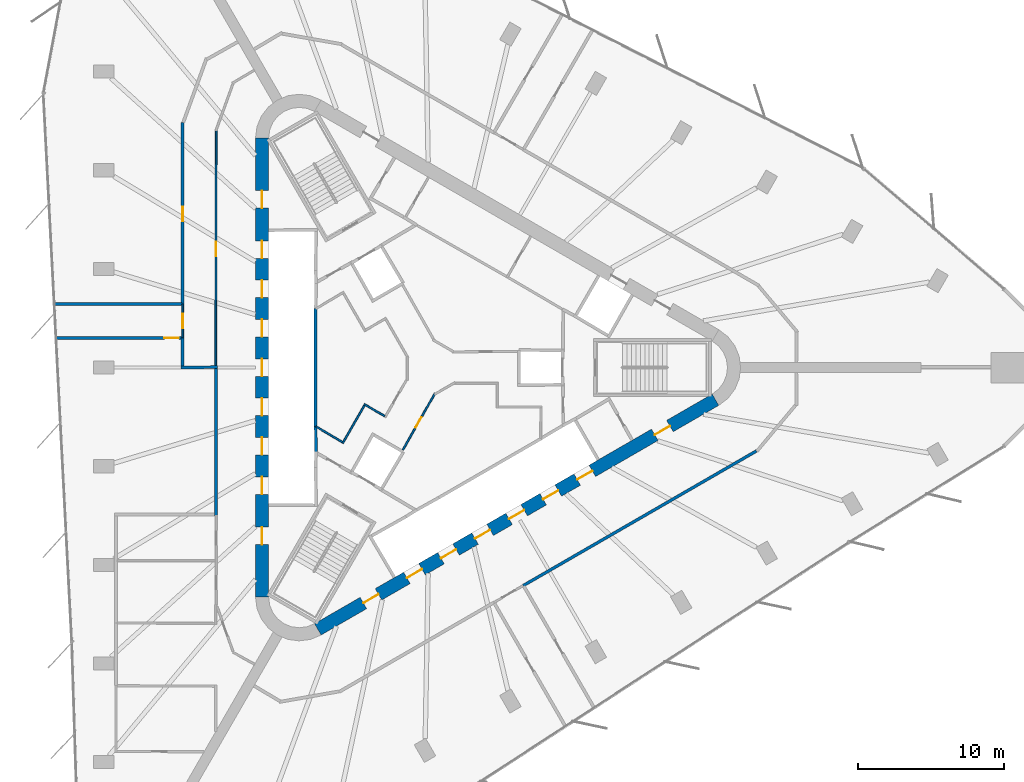
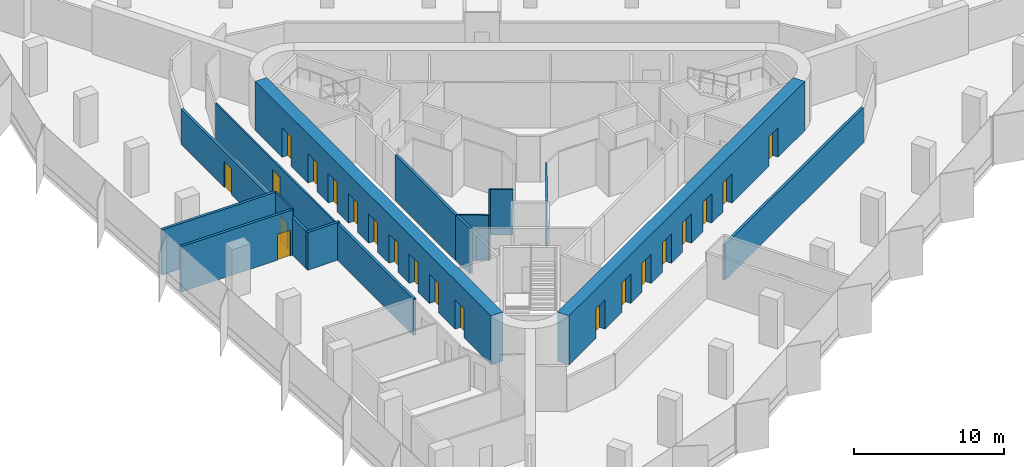
# One storey, part 9 of 13: 22 doors, 17 walls, 22 openings.
"""IFC4 building model written with IfcOpenShell, lengths in metres."""

from ifc_helpers import new_model, si_unit, direction, frame, frame_2d, origin, place, context, subcontext, project, spatial, rectangle, extrude, material, layer, layer_set, type_object, element, fill, save


model = new_model("IFC4")

# Units and contexts
model_context = context("Model", 3, precision=1e-05, world=origin(), true_north=direction((0.0, 1.0)))
body_context = subcontext(model_context, "Body", "Model", "MODEL_VIEW")
ifc_project = project(units=[si_unit("LENGTHUNIT", "METRE"), si_unit("AREAUNIT", "SQUARE_METRE"), si_unit("VOLUMEUNIT", "CUBIC_METRE"), si_unit("PLANEANGLEUNIT", "RADIAN"), si_unit("MASSUNIT", "GRAM", prefix="KILO")], contexts=[model_context])

# Site, building, storey
site_placement = place(None, origin())
site = spatial("IfcSite", under=ifc_project, at=site_placement, CompositionType="ELEMENT")
building_placement = place(site_placement, origin())
building = spatial("IfcBuilding", under=site, at=building_placement, Name="Tanit Gate Tower", CompositionType="ELEMENT")
storey_placement = place(building_placement, frame((0.0, 0.0, 173.199951171875)))
storey = spatial("IfcBuildingStorey", under=building, at=storey_placement, Name="L37", CompositionType="ELEMENT", Elevation=173.199951171875)

# Wall, openings, doors
ifc_material_1 = material(Name="Concrete C50/60", Category="concrete")
ifc_layer_1 = layer(ifc_material_1, 0.89990234375)
ifc_layer_set_1 = layer_set([ifc_layer_1], Name="CORE WALL 900 C50/60")
wall_type_1 = type_object("IfcWallType", Name="CORE WALL 900 C50/60", PredefinedType="SHEAR", material=ifc_layer_set_1)
wall_1_placement = place(storey_placement, frame((-11.64990234375, 15.76171875, 0.0), z_axis=(0.0, 0.0, 1.0), x_axis=(0.0, -1.0, 0.0)))
wall_1 = element("IfcWall", 1, at=wall_1_placement, inside=storey, type_object=wall_type_1, Name="CORE WALL", PredefinedType="SHEAR", context=body_context, shape_type="SweptSolid", body=[
    extrude(rectangle(XDim=31.5234375, YDim=0.89990234375, at=frame_2d((15.76171875, 0.0))), origin(), (0.0, 0.0, 1.0), 4.0),
])
opening_1_placement = place(wall_1_placement, frame((7.061767578125, 0.0, 0.0)))
opening_1 = element("IfcOpeningElement", 2, at=opening_1_placement, cuts=wall_1, Name="Opening LDML1-S09", PredefinedType="OPENING", context=body_context, shape_type="SweptSolid", body=[
    extrude(rectangle(XDim=1.199951171875, YDim=2.39990234375, at=frame_2d((0.60009765625, 1.199951171875))), frame((0.0, 0.4599609375, 0.0), z_axis=(0.0, -1.0, 0.0), x_axis=(1.0, 0.0, 0.0)), (0.0, 0.0, 1.0), 0.919921875),
])
opening_2_placement = place(wall_1_placement, frame((9.76171875, 0.0, 0.0)))
opening_2 = element("IfcOpeningElement", 3, at=opening_2_placement, cuts=wall_1, Name="Opening LDML2-S09", PredefinedType="OPENING", context=body_context, shape_type="SweptSolid", body=[
    extrude(rectangle(XDim=1.199951171875, YDim=2.39990234375, at=frame_2d((0.60009765625, 1.199951171875))), frame((0.0, 0.4599609375, 0.0), z_axis=(0.0, -1.0, 0.0), x_axis=(1.0, 0.0, 0.0)), (0.0, 0.0, 1.0), 0.919921875),
])
opening_3_placement = place(wall_1_placement, frame((12.461669921875, 0.0, 0.0)))
opening_3 = element("IfcOpeningElement", 4, at=opening_3_placement, cuts=wall_1, Name="Opening LDML3-S09", PredefinedType="OPENING", context=body_context, shape_type="SweptSolid", body=[
    extrude(rectangle(XDim=1.199951171875, YDim=2.39990234375, at=frame_2d((0.60009765625, 1.199951171875))), frame((0.0, 0.4599609375, 0.0), z_axis=(0.0, -1.0, 0.0), x_axis=(1.0, 0.0, 0.0)), (0.0, 0.0, 1.0), 0.919921875),
])
opening_4_placement = place(wall_1_placement, frame((15.16162109375, 0.0, 0.0)))
opening_4 = element("IfcOpeningElement", 5, at=opening_4_placement, cuts=wall_1, Name="Opening LDML4-S09", PredefinedType="OPENING", context=body_context, shape_type="SweptSolid", body=[
    extrude(rectangle(XDim=1.199951171875, YDim=2.39990234375, at=frame_2d((0.60009765625, 1.199951171875))), frame((0.0, 0.4599609375, 0.0), z_axis=(0.0, -1.0, 0.0), x_axis=(1.0, 0.0, 0.0)), (0.0, 0.0, 1.0), 0.919921875),
])
opening_5_placement = place(wall_1_placement, frame((17.86181640625, 0.0, 0.0)))
opening_5 = element("IfcOpeningElement", 6, at=opening_5_placement, cuts=wall_1, Name="Opening LDML5-S09", PredefinedType="OPENING", context=body_context, shape_type="SweptSolid", body=[
    extrude(rectangle(XDim=1.199951171875, YDim=2.39990234375, at=frame_2d((0.60009765625, 1.199951171875))), frame((0.0, 0.4599609375, 0.0), z_axis=(0.0, -1.0, 0.0), x_axis=(1.0, 0.0, 0.0)), (0.0, 0.0, 1.0), 0.919921875),
])
opening_6_placement = place(wall_1_placement, frame((20.561767578125, 0.0, 0.0)))
opening_6 = element("IfcOpeningElement", 7, at=opening_6_placement, cuts=wall_1, Name="Opening LDML6-S09", PredefinedType="OPENING", context=body_context, shape_type="SweptSolid", body=[
    extrude(rectangle(XDim=1.199951171875, YDim=2.39990234375, at=frame_2d((0.60009765625, 1.199951171875))), frame((0.0, 0.4599609375, 0.0), z_axis=(0.0, -1.0, 0.0), x_axis=(1.0, 0.0, 0.0)), (0.0, 0.0, 1.0), 0.919921875),
])
opening_7_placement = place(wall_1_placement, frame((23.26171875, 0.0, 0.0)))
opening_7 = element("IfcOpeningElement", 8, at=opening_7_placement, cuts=wall_1, Name="Opening LDML7-S09", PredefinedType="OPENING", context=body_context, shape_type="SweptSolid", body=[
    extrude(rectangle(XDim=1.199951171875, YDim=2.39990234375, at=frame_2d((0.60009765625, 1.199951171875))), frame((0.0, 0.4599609375, 0.0), z_axis=(0.0, -1.0, 0.0), x_axis=(1.0, 0.0, 0.0)), (0.0, 0.0, 1.0), 0.919921875),
])
opening_8_placement = place(wall_1_placement, frame((3.61181640625, 0.0, 0.0)))
opening_8 = element("IfcOpeningElement", 9, at=opening_8_placement, cuts=wall_1, Name="Opening F12-S09-FL2", PredefinedType="OPENING", context=body_context, shape_type="SweptSolid", body=[
    extrude(rectangle(XDim=1.199951171875, YDim=2.39990234375, at=frame_2d((0.60009765625, 1.199951171875))), frame((0.0, 0.4599609375, 0.0), z_axis=(0.0, -1.0, 0.0), x_axis=(1.0, 0.0, 0.0)), (0.0, 0.0, 1.0), 0.919921875),
])
opening_9_placement = place(wall_1_placement, frame((26.711669921875, 0.0, 0.0)))
opening_9 = element("IfcOpeningElement", 10, at=opening_9_placement, cuts=wall_1, Name="Opening F12-S09-S3", PredefinedType="OPENING", context=body_context, shape_type="SweptSolid", body=[
    extrude(rectangle(XDim=1.199951171875, YDim=2.39990234375, at=frame_2d((0.60009765625, 1.199951171875))), frame((0.0, 0.4599609375, 0.0), z_axis=(0.0, -1.0, 0.0), x_axis=(1.0, 0.0, 0.0)), (0.0, 0.0, 1.0), 0.919921875),
])
ifc_material_2 = material(Name="Fire-rated steel door leaf", Category="steel")
door_type_1 = type_object("IfcDoorType", Name="INT-DOOR-FIRE-LOBBY-1200", OperationType="NOTDEFINED", PredefinedType="USERDEFINED", material=ifc_material_2)
door_1_placement = place(opening_8_placement, origin())
door_1 = element("IfcDoor", 11, at=door_1_placement, inside=storey, type_object=door_type_1, Name="Door F12-S09-FL2", ObjectType="FIRE DOOR", OperationType="SINGLE_SWING_RIGHT", OverallHeight=2.39990234375, OverallWidth=1.199951171875, PredefinedType="USERDEFINED", context=body_context, shape_type="SweptSolid", body=[
    extrude(rectangle(XDim=1.199951171875, YDim=2.39990234375, at=frame_2d((0.60009765625, 1.199951171875))), frame((0.0, 0.02490234375, 0.0), z_axis=(0.0, -1.0, 0.0), x_axis=(1.0, 0.0, 0.0)), (0.0, 0.0, 1.0), 0.050048828125),
])
fill(opening_8, door_1)
door_2_placement = place(opening_9_placement, origin())
door_2 = element("IfcDoor", 12, at=door_2_placement, inside=storey, type_object=door_type_1, Name="Door F12-S09-S3", ObjectType="FIRE DOOR", OperationType="SINGLE_SWING_RIGHT", OverallHeight=2.39990234375, OverallWidth=1.199951171875, PredefinedType="USERDEFINED", context=body_context, shape_type="SweptSolid", body=[
    extrude(rectangle(XDim=1.199951171875, YDim=2.39990234375, at=frame_2d((0.60009765625, 1.199951171875))), frame((0.0, 0.02490234375, 0.0), z_axis=(0.0, -1.0, 0.0), x_axis=(1.0, 0.0, 0.0)), (0.0, 0.0, 1.0), 0.050048828125),
])
fill(opening_9, door_2)
ifc_material_3 = material(Name="Stainless steel sliding door leaf", Category="steel")
door_type_2 = type_object("IfcDoorType", Name="INT-DOOR-LANDING-1200", OperationType="NOTDEFINED", PredefinedType="USERDEFINED", material=ifc_material_3)
door_3_placement = place(opening_1_placement, origin())
door_3 = element("IfcDoor", 13, at=door_3_placement, inside=storey, type_object=door_type_2, Name="Door LDML1-S09", ObjectType="LANDING DOOR", OperationType="SLIDING_TO_LEFT", OverallHeight=2.39990234375, OverallWidth=1.199951171875, PredefinedType="USERDEFINED", context=body_context, shape_type="SweptSolid", body=[
    extrude(rectangle(XDim=1.199951171875, YDim=2.39990234375, at=frame_2d((0.60009765625, 1.199951171875))), frame((0.0, 0.02490234375, 0.0), z_axis=(0.0, -1.0, 0.0), x_axis=(1.0, 0.0, 0.0)), (0.0, 0.0, 1.0), 0.050048828125),
])
fill(opening_1, door_3)
door_4_placement = place(opening_2_placement, origin())
door_4 = element("IfcDoor", 14, at=door_4_placement, inside=storey, type_object=door_type_2, Name="Door LDML2-S09", ObjectType="LANDING DOOR", OperationType="SLIDING_TO_LEFT", OverallHeight=2.39990234375, OverallWidth=1.199951171875, PredefinedType="USERDEFINED", context=body_context, shape_type="SweptSolid", body=[
    extrude(rectangle(XDim=1.199951171875, YDim=2.39990234375, at=frame_2d((0.60009765625, 1.199951171875))), frame((0.0, 0.02490234375, 0.0), z_axis=(0.0, -1.0, 0.0), x_axis=(1.0, 0.0, 0.0)), (0.0, 0.0, 1.0), 0.050048828125),
])
fill(opening_2, door_4)
door_5_placement = place(opening_3_placement, origin())
door_5 = element("IfcDoor", 15, at=door_5_placement, inside=storey, type_object=door_type_2, Name="Door LDML3-S09", ObjectType="LANDING DOOR", OperationType="SLIDING_TO_LEFT", OverallHeight=2.39990234375, OverallWidth=1.199951171875, PredefinedType="USERDEFINED", context=body_context, shape_type="SweptSolid", body=[
    extrude(rectangle(XDim=1.199951171875, YDim=2.39990234375, at=frame_2d((0.60009765625, 1.199951171875))), frame((0.0, 0.02490234375, 0.0), z_axis=(0.0, -1.0, 0.0), x_axis=(1.0, 0.0, 0.0)), (0.0, 0.0, 1.0), 0.050048828125),
])
fill(opening_3, door_5)
door_6_placement = place(opening_4_placement, origin())
door_6 = element("IfcDoor", 16, at=door_6_placement, inside=storey, type_object=door_type_2, Name="Door LDML4-S09", ObjectType="LANDING DOOR", OperationType="SLIDING_TO_LEFT", OverallHeight=2.39990234375, OverallWidth=1.199951171875, PredefinedType="USERDEFINED", context=body_context, shape_type="SweptSolid", body=[
    extrude(rectangle(XDim=1.199951171875, YDim=2.39990234375, at=frame_2d((0.60009765625, 1.199951171875))), frame((0.0, 0.02490234375, 0.0), z_axis=(0.0, -1.0, 0.0), x_axis=(1.0, 0.0, 0.0)), (0.0, 0.0, 1.0), 0.050048828125),
])
fill(opening_4, door_6)
door_7_placement = place(opening_5_placement, origin())
door_7 = element("IfcDoor", 17, at=door_7_placement, inside=storey, type_object=door_type_2, Name="Door LDML5-S09", ObjectType="LANDING DOOR", OperationType="SLIDING_TO_LEFT", OverallHeight=2.39990234375, OverallWidth=1.199951171875, PredefinedType="USERDEFINED", context=body_context, shape_type="SweptSolid", body=[
    extrude(rectangle(XDim=1.199951171875, YDim=2.39990234375, at=frame_2d((0.60009765625, 1.199951171875))), frame((0.0, 0.02490234375, 0.0), z_axis=(0.0, -1.0, 0.0), x_axis=(1.0, 0.0, 0.0)), (0.0, 0.0, 1.0), 0.050048828125),
])
fill(opening_5, door_7)
door_8_placement = place(opening_6_placement, origin())
door_8 = element("IfcDoor", 18, at=door_8_placement, inside=storey, type_object=door_type_2, Name="Door LDML6-S09", ObjectType="LANDING DOOR", OperationType="SLIDING_TO_LEFT", OverallHeight=2.39990234375, OverallWidth=1.199951171875, PredefinedType="USERDEFINED", context=body_context, shape_type="SweptSolid", body=[
    extrude(rectangle(XDim=1.199951171875, YDim=2.39990234375, at=frame_2d((0.60009765625, 1.199951171875))), frame((0.0, 0.02490234375, 0.0), z_axis=(0.0, -1.0, 0.0), x_axis=(1.0, 0.0, 0.0)), (0.0, 0.0, 1.0), 0.050048828125),
])
fill(opening_6, door_8)
door_9_placement = place(opening_7_placement, origin())
door_9 = element("IfcDoor", 19, at=door_9_placement, inside=storey, type_object=door_type_2, Name="Door LDML7-S09", ObjectType="LANDING DOOR", OperationType="SLIDING_TO_LEFT", OverallHeight=2.39990234375, OverallWidth=1.199951171875, PredefinedType="USERDEFINED", context=body_context, shape_type="SweptSolid", body=[
    extrude(rectangle(XDim=1.199951171875, YDim=2.39990234375, at=frame_2d((0.60009765625, 1.199951171875))), frame((0.0, 0.02490234375, 0.0), z_axis=(0.0, -1.0, 0.0), x_axis=(1.0, 0.0, 0.0)), (0.0, 0.0, 1.0), 0.050048828125),
])
fill(opening_7, door_9)

wall_2_placement = place(storey_placement, frame((-7.824951171875, -17.969970703125, 0.0), z_axis=(0.0, 0.0, 1.0), x_axis=(0.866028369851, 0.499994862586, 0.0)))
wall_2 = element("IfcWall", 20, at=wall_2_placement, inside=storey, type_object=wall_type_1, Name="CORE WALL", PredefinedType="SHEAR", context=body_context, shape_type="SweptSolid", body=[
    extrude(rectangle(XDim=31.523193359375, YDim=0.89990234375, at=frame_2d((15.76171875, 0.0))), origin(), (0.0, 0.0, 1.0), 4.0),
])
opening_10_placement = place(wall_2_placement, frame((7.061767578125, 0.0, 0.0)))
opening_10 = element("IfcOpeningElement", 21, at=opening_10_placement, cuts=wall_2, Name="Opening LDSX1-S09", PredefinedType="OPENING", context=body_context, shape_type="SweptSolid", body=[
    extrude(rectangle(XDim=1.199951171875, YDim=2.39990234375, at=frame_2d((0.60009765625, 1.199951171875))), frame((0.0, 0.4599609375, 0.0), z_axis=(0.0, -1.0, 0.0), x_axis=(1.0, 0.0, 0.0)), (0.0, 0.0, 1.0), 0.919921875),
])
opening_11_placement = place(wall_2_placement, frame((9.76171875, 0.0, 0.0)))
opening_11 = element("IfcOpeningElement", 22, at=opening_11_placement, cuts=wall_2, Name="Opening LDSX2-S09", PredefinedType="OPENING", context=body_context, shape_type="SweptSolid", body=[
    extrude(rectangle(XDim=1.199951171875, YDim=2.39990234375, at=frame_2d((0.60009765625, 1.199951171875))), frame((0.0, 0.4599609375, 0.0), z_axis=(0.0, -1.0, 0.0), x_axis=(1.0, 0.0, 0.0)), (0.0, 0.0, 1.0), 0.919921875),
])
opening_12_placement = place(wall_2_placement, frame((12.461669921875, 0.0, 0.0)))
opening_12 = element("IfcOpeningElement", 23, at=opening_12_placement, cuts=wall_2, Name="Opening LDSX3-S09", PredefinedType="OPENING", context=body_context, shape_type="SweptSolid", body=[
    extrude(rectangle(XDim=1.199951171875, YDim=2.39990234375, at=frame_2d((0.60009765625, 1.199951171875))), frame((0.0, 0.4599609375, 0.0), z_axis=(0.0, -1.0, 0.0), x_axis=(1.0, 0.0, 0.0)), (0.0, 0.0, 1.0), 0.919921875),
])
opening_13_placement = place(wall_2_placement, frame((15.16162109375, 0.0, 0.0)))
opening_13 = element("IfcOpeningElement", 24, at=opening_13_placement, cuts=wall_2, Name="Opening LDSX4-S09", PredefinedType="OPENING", context=body_context, shape_type="SweptSolid", body=[
    extrude(rectangle(XDim=1.199951171875, YDim=2.39990234375, at=frame_2d((0.60009765625, 1.199951171875))), frame((0.0, 0.4599609375, 0.0), z_axis=(0.0, -1.0, 0.0), x_axis=(1.0, 0.0, 0.0)), (0.0, 0.0, 1.0), 0.919921875),
])
opening_14_placement = place(wall_2_placement, frame((17.861572265625, 0.0, 0.0)))
opening_14 = element("IfcOpeningElement", 25, at=opening_14_placement, cuts=wall_2, Name="Opening LDSV1-S09", PredefinedType="OPENING", context=body_context, shape_type="SweptSolid", body=[
    extrude(rectangle(XDim=1.199951171875, YDim=2.39990234375, at=frame_2d((0.60009765625, 1.199951171875))), frame((0.0, 0.4599609375, 0.0), z_axis=(0.0, -1.0, 0.0), x_axis=(1.0, 0.0, 0.0)), (0.0, 0.0, 1.0), 0.919921875),
])
opening_15_placement = place(wall_2_placement, frame((20.561767578125, 0.0, 0.0)))
opening_15 = element("IfcOpeningElement", 26, at=opening_15_placement, cuts=wall_2, Name="Opening LDSV2-S09", PredefinedType="OPENING", context=body_context, shape_type="SweptSolid", body=[
    extrude(rectangle(XDim=1.199951171875, YDim=2.39990234375, at=frame_2d((0.60009765625, 1.199951171875))), frame((0.0, 0.4599609375, 0.0), z_axis=(0.0, -1.0, 0.0), x_axis=(1.0, 0.0, 0.0)), (0.0, 0.0, 1.0), 0.919921875),
])
opening_16_placement = place(wall_2_placement, frame((26.711669921875, 0.0, 0.0)))
opening_16 = element("IfcOpeningElement", 27, at=opening_16_placement, cuts=wall_2, Name="Opening F12-S09-S1", PredefinedType="OPENING", context=body_context, shape_type="SweptSolid", body=[
    extrude(rectangle(XDim=1.199951171875, YDim=2.39990234375, at=frame_2d((0.60009765625, 1.199951171875))), frame((0.0, 0.4599609375, 0.0), z_axis=(0.0, -1.0, 0.0), x_axis=(1.0, 0.0, 0.0)), (0.0, 0.0, 1.0), 0.919921875),
])
opening_17_placement = place(wall_2_placement, frame((3.611572265625, 0.0, 0.0)))
opening_17 = element("IfcOpeningElement", 28, at=opening_17_placement, cuts=wall_2, Name="Opening F12-S09-FL3", PredefinedType="OPENING", context=body_context, shape_type="SweptSolid", body=[
    extrude(rectangle(XDim=1.199951171875, YDim=2.39990234375, at=frame_2d((0.60009765625, 1.199951171875))), frame((0.0, 0.4599609375, 0.0), z_axis=(0.0, -1.0, 0.0), x_axis=(1.0, 0.0, 0.0)), (0.0, 0.0, 1.0), 0.919921875),
])
door_10_placement = place(opening_16_placement, origin())
door_10 = element("IfcDoor", 29, at=door_10_placement, inside=storey, type_object=door_type_1, Name="Door F12-S09-S1", ObjectType="FIRE DOOR", OperationType="SINGLE_SWING_RIGHT", OverallHeight=2.39990234375, OverallWidth=1.199951171875, PredefinedType="USERDEFINED", context=body_context, shape_type="SweptSolid", body=[
    extrude(rectangle(XDim=1.199951171875, YDim=2.39990234375, at=frame_2d((0.60009765625, 1.199951171875))), frame((0.0, 0.02490234375, 0.0), z_axis=(0.0, -1.0, 0.0), x_axis=(1.0, 0.0, 0.0)), (0.0, 0.0, 1.0), 0.050048828125),
])
fill(opening_16, door_10)
door_11_placement = place(opening_17_placement, origin())
door_11 = element("IfcDoor", 30, at=door_11_placement, inside=storey, type_object=door_type_1, Name="Door F12-S09-FL3", ObjectType="FIRE DOOR", OperationType="SINGLE_SWING_LEFT", OverallHeight=2.39990234375, OverallWidth=1.199951171875, PredefinedType="USERDEFINED", context=body_context, shape_type="SweptSolid", body=[
    extrude(rectangle(XDim=1.199951171875, YDim=2.39990234375, at=frame_2d((0.60009765625, 1.199951171875))), frame((0.0, 0.02490234375, 0.0), z_axis=(0.0, -1.0, 0.0), x_axis=(1.0, 0.0, 0.0)), (0.0, 0.0, 1.0), 0.050048828125),
])
fill(opening_17, door_11)
door_12_placement = place(opening_10_placement, origin())
door_12 = element("IfcDoor", 31, at=door_12_placement, inside=storey, type_object=door_type_2, Name="Door LDSX1-S09", ObjectType="LANDING DOOR", OperationType="SLIDING_TO_LEFT", OverallHeight=2.39990234375, OverallWidth=1.199951171875, PredefinedType="USERDEFINED", context=body_context, shape_type="SweptSolid", body=[
    extrude(rectangle(XDim=1.199951171875, YDim=2.39990234375, at=frame_2d((0.60009765625, 1.199951171875))), frame((0.0, 0.02490234375, 0.0), z_axis=(0.0, -1.0, 0.0), x_axis=(1.0, 0.0, 0.0)), (0.0, 0.0, 1.0), 0.050048828125),
])
fill(opening_10, door_12)
door_13_placement = place(opening_11_placement, origin())
door_13 = element("IfcDoor", 32, at=door_13_placement, inside=storey, type_object=door_type_2, Name="Door LDSX2-S09", ObjectType="LANDING DOOR", OperationType="SLIDING_TO_LEFT", OverallHeight=2.39990234375, OverallWidth=1.199951171875, PredefinedType="USERDEFINED", context=body_context, shape_type="SweptSolid", body=[
    extrude(rectangle(XDim=1.199951171875, YDim=2.39990234375, at=frame_2d((0.60009765625, 1.199951171875))), frame((0.0, 0.02490234375, 0.0), z_axis=(0.0, -1.0, 0.0), x_axis=(1.0, 0.0, 0.0)), (0.0, 0.0, 1.0), 0.050048828125),
])
fill(opening_11, door_13)
door_14_placement = place(opening_12_placement, origin())
door_14 = element("IfcDoor", 33, at=door_14_placement, inside=storey, type_object=door_type_2, Name="Door LDSX3-S09", ObjectType="LANDING DOOR", OperationType="SLIDING_TO_LEFT", OverallHeight=2.39990234375, OverallWidth=1.199951171875, PredefinedType="USERDEFINED", context=body_context, shape_type="SweptSolid", body=[
    extrude(rectangle(XDim=1.199951171875, YDim=2.39990234375, at=frame_2d((0.60009765625, 1.199951171875))), frame((0.0, 0.02490234375, 0.0), z_axis=(0.0, -1.0, 0.0), x_axis=(1.0, 0.0, 0.0)), (0.0, 0.0, 1.0), 0.050048828125),
])
fill(opening_12, door_14)
door_15_placement = place(opening_13_placement, origin())
door_15 = element("IfcDoor", 34, at=door_15_placement, inside=storey, type_object=door_type_2, Name="Door LDSX4-S09", ObjectType="LANDING DOOR", OperationType="SLIDING_TO_LEFT", OverallHeight=2.39990234375, OverallWidth=1.199951171875, PredefinedType="USERDEFINED", context=body_context, shape_type="SweptSolid", body=[
    extrude(rectangle(XDim=1.199951171875, YDim=2.39990234375, at=frame_2d((0.60009765625, 1.199951171875))), frame((0.0, 0.02490234375, 0.0), z_axis=(0.0, -1.0, 0.0), x_axis=(1.0, 0.0, 0.0)), (0.0, 0.0, 1.0), 0.050048828125),
])
fill(opening_13, door_15)
door_16_placement = place(opening_14_placement, origin())
door_16 = element("IfcDoor", 35, at=door_16_placement, inside=storey, type_object=door_type_2, Name="Door LDSV1-S09", ObjectType="LANDING DOOR", OperationType="SLIDING_TO_LEFT", OverallHeight=2.39990234375, OverallWidth=1.199951171875, PredefinedType="USERDEFINED", context=body_context, shape_type="SweptSolid", body=[
    extrude(rectangle(XDim=1.199951171875, YDim=2.39990234375, at=frame_2d((0.60009765625, 1.199951171875))), frame((0.0, 0.02490234375, 0.0), z_axis=(0.0, -1.0, 0.0), x_axis=(1.0, 0.0, 0.0)), (0.0, 0.0, 1.0), 0.050048828125),
])
fill(opening_14, door_16)
door_17_placement = place(opening_15_placement, origin())
door_17 = element("IfcDoor", 36, at=door_17_placement, inside=storey, type_object=door_type_2, Name="Door LDSV2-S09", ObjectType="LANDING DOOR", OperationType="SLIDING_TO_LEFT", OverallHeight=2.39990234375, OverallWidth=1.199951171875, PredefinedType="USERDEFINED", context=body_context, shape_type="SweptSolid", body=[
    extrude(rectangle(XDim=1.199951171875, YDim=2.39990234375, at=frame_2d((0.60009765625, 1.199951171875))), frame((0.0, 0.02490234375, 0.0), z_axis=(0.0, -1.0, 0.0), x_axis=(1.0, 0.0, 0.0)), (0.0, 0.0, 1.0), 0.050048828125),
])
fill(opening_15, door_17)

# Wall
ifc_material_4 = material(Name="Fire-rated gypsum board partition")
ifc_layer_2 = layer(ifc_material_4, 0.199951171875)
ifc_layer_set_2 = layer_set([ifc_layer_2], Name="INT-WALL-COMPARTMENT")
wall_type_2 = type_object("IfcWallType", Name="INT-WALL-COMPARTMENT", PredefinedType="PARTITIONING", material=ifc_layer_set_2)
wall_3_placement = place(storey_placement, frame((-17.199951171875, -0.001220703125, 0.0), z_axis=(0.0, 0.0, 1.0), x_axis=(0.999915662945, 0.012987185857, 0.0)))
element("IfcWall", 37, at=wall_3_placement, inside=storey, type_object=wall_type_2, Name="Wall Compartment W087", PredefinedType="PARTITIONING", context=body_context, shape_type="SweptSolid", body=[
    extrude(rectangle(XDim=2.500244140625, YDim=0.199951171875, at=frame_2d((1.25, 0.0))), origin(), (0.0, 0.0, 1.0), 3.070068359375),
])

# Wall, opening, door
wall_4_placement = place(storey_placement, frame((-17.10009765625, 16.82275390625, 0.0), z_axis=(0.0, 0.0, 1.0), x_axis=(0.0, -1.0, 0.0)))
wall_4 = element("IfcWall", 38, at=wall_4_placement, inside=storey, type_object=wall_type_2, Name="Wall Compartment W089", PredefinedType="PARTITIONING", context=body_context, shape_type="SweptSolid", body=[
    extrude(rectangle(XDim=12.47265625, YDim=0.199951171875, at=frame_2d((6.236328125, 0.0))), origin(), (0.0, 0.0, 1.0), 2.880126953125),
])
opening_18_placement = place(wall_4_placement, frame((5.7763671875, 0.0, 0.0)))
opening_18 = element("IfcOpeningElement", 39, at=opening_18_placement, cuts=wall_4, Name="Opening F10-S09-25", PredefinedType="OPENING", context=body_context, shape_type="SweptSolid", body=[
    extrude(rectangle(XDim=1.0, YDim=2.10009765625, at=frame_2d((0.5, 1.050048828125))), frame((0.0, 0.10986328125, 0.0), z_axis=(0.0, -1.0, 0.0), x_axis=(1.0, 0.0, 0.0)), (0.0, 0.0, 1.0), 0.219970703125),
])
ifc_material_5 = material(Name="Fire-rated steel door leaf", Category="steel")
door_type_3 = type_object("IfcDoorType", Name="INT-DOOR-FIRE-1000", OperationType="NOTDEFINED", PredefinedType="USERDEFINED", material=ifc_material_5)
door_18_placement = place(opening_18_placement, origin())
door_18 = element("IfcDoor", 40, at=door_18_placement, inside=storey, type_object=door_type_3, Name="Door F10-S09-25", ObjectType="FIRE DOOR", OperationType="SINGLE_SWING_LEFT", OverallHeight=2.10009765625, OverallWidth=1.0, PredefinedType="USERDEFINED", context=body_context, shape_type="SweptSolid", body=[
    extrude(rectangle(XDim=1.0, YDim=2.10009765625, at=frame_2d((0.5, 1.050048828125))), frame((0.0, 0.02490234375, 0.0), z_axis=(0.0, -1.0, 0.0), x_axis=(1.0, 0.0, 0.0)), (0.0, 0.0, 1.0), 0.050048828125),
])
fill(opening_18, door_18)

# Walls
wall_5_placement = place(storey_placement, frame((-17.10009765625, 2.050048828125, 0.0), z_axis=(0.0, 0.0, 1.0), x_axis=(0.0, -1.0, 0.0)))
element("IfcWall", 41, at=wall_5_placement, inside=storey, type_object=wall_type_2, Name="Wall Compartment W088", PredefinedType="PARTITIONING", context=body_context, shape_type="SweptSolid", body=[
    extrude(rectangle(XDim=1.949951171875, YDim=0.199951171875, at=frame_2d((0.97509765625, 0.0))), origin(), (0.0, 0.0, 1.0), 3.070068359375),
])
wall_6_placement = place(storey_placement, frame((-14.800048828125, -0.070068359375, 0.0), z_axis=(0.0, 0.0, 1.0), x_axis=(0.0, -1.0, 0.0)))
element("IfcWall", 42, at=wall_6_placement, inside=storey, type_object=wall_type_2, Name="Wall Compartment W092", PredefinedType="PARTITIONING", context=body_context, shape_type="SweptSolid", body=[
    extrude(rectangle(XDim=10.1298828125, YDim=0.199951171875, at=frame_2d((5.06494140625, 0.0))), origin(), (0.0, 0.0, 1.0), 2.97998046875),
])
wall_7_placement = place(storey_placement, frame((6.274658203125, -14.968017578125, 0.0), z_axis=(0.0, 0.0, 1.0), x_axis=(0.866028424491, 0.499994767946, 0.0)))
element("IfcWall", 43, at=wall_7_placement, inside=storey, type_object=wall_type_2, Name="Wall Compartment W107", PredefinedType="PARTITIONING", context=body_context, shape_type="SweptSolid", body=[
    extrude(rectangle(XDim=18.496337890625, YDim=0.199951171875, at=frame_2d((9.248046875, 0.0))), origin(), (0.0, 0.0, 1.0), 2.880126953125),
])

# Wall, opening, door
wall_8_placement = place(storey_placement, frame((-25.783935546875, 2.030029296875, 0.0), z_axis=(0.0, 0.0, 1.0), x_axis=(1.0, 0.0, 0.0)))
wall_8 = element("IfcWall", 44, at=wall_8_placement, inside=storey, type_object=wall_type_2, Name="Wall Compartment W111", PredefinedType="PARTITIONING", context=body_context, shape_type="SweptSolid", body=[
    extrude(rectangle(XDim=8.6240234375, YDim=0.199951171875, at=frame_2d((4.31201171875, 0.0))), origin(), (0.0, 0.0, 1.0), 3.699951171875),
])
opening_19_placement = place(wall_8_placement, frame((7.423828125, 0.0, 0.0)))
opening_19 = element("IfcOpeningElement", 45, at=opening_19_placement, cuts=wall_8, Name="Opening F10-S09-24", PredefinedType="OPENING", context=body_context, shape_type="SweptSolid", body=[
    extrude(rectangle(XDim=1.0, YDim=2.10009765625, at=frame_2d((0.5, 1.050048828125))), frame((0.0, 0.10986328125, 0.0), z_axis=(0.0, -1.0, 0.0), x_axis=(1.0, 0.0, 0.0)), (0.0, 0.0, 1.0), 0.219970703125),
])
door_19_placement = place(opening_19_placement, origin())
door_19 = element("IfcDoor", 46, at=door_19_placement, inside=storey, type_object=door_type_3, Name="Door F10-S09-24", ObjectType="FIRE DOOR", OperationType="SINGLE_SWING_RIGHT", OverallHeight=2.10009765625, OverallWidth=1.0, PredefinedType="USERDEFINED", context=body_context, shape_type="SweptSolid", body=[
    extrude(rectangle(XDim=1.0, YDim=2.10009765625, at=frame_2d((0.5, 1.050048828125))), frame((0.0, 0.02490234375, 0.0), z_axis=(0.0, -1.0, 0.0), x_axis=(1.0, 0.0, 0.0)), (0.0, 0.0, 1.0), 0.050048828125),
])
fill(opening_19, door_19)

# Wall
wall_9_placement = place(storey_placement, frame((-17.159912109375, 4.3701171875, 0.0), z_axis=(0.0, 0.0, 1.0), x_axis=(-1.0, 0.0, 0.0)))
element("IfcWall", 47, at=wall_9_placement, inside=storey, type_object=wall_type_2, Name="Wall Compartment W112", PredefinedType="PARTITIONING", context=body_context, shape_type="SweptSolid", body=[
    extrude(rectangle(XDim=8.745361328125, YDim=0.199951171875, at=frame_2d((4.37255859375, 0.0))), origin(), (0.0, 0.0, 1.0), 3.699951171875),
])

# Wall, opening, door
ifc_material_6 = material(Name="Gypsum board partition")
ifc_layer_3 = layer(ifc_material_6, 0.1201171875)
ifc_layer_set_3 = layer_set([ifc_layer_3], Name="INT-WALL-PARTITION")
wall_type_3 = type_object("IfcWallType", Name="INT-WALL-PARTITION", PredefinedType="PARTITIONING", material=ifc_layer_set_3)
wall_10_placement = place(storey_placement, frame((0.223876953125, -1.760986328125, 0.0), z_axis=(0.0, 0.0, 1.0), x_axis=(-0.494327216836, -0.869275907118, 0.0)))
wall_10 = element("IfcWall", 48, at=wall_10_placement, inside=storey, type_object=wall_type_3, Name="Wall Partition W068", PredefinedType="PARTITIONING", context=body_context, shape_type="SweptSolid", body=[
    extrude(rectangle(XDim=4.487060546875, YDim=0.1201171875, at=frame_2d((2.24365234375, 0.0))), origin(), (0.0, 0.0, 1.0), 3.699951171875),
])
opening_20_placement = place(wall_10_placement, frame((1.89453125, 0.0, 0.0)))
opening_20 = element("IfcOpeningElement", 49, at=opening_20_placement, cuts=wall_10, Name="Opening R08-S09-11", PredefinedType="OPENING", context=body_context, shape_type="SweptSolid", body=[
    extrude(rectangle(XDim=0.800048828125, YDim=2.10009765625, at=frame_2d((0.39990234375, 1.050048828125))), frame((0.0, 0.070068359375, 0.0), z_axis=(0.0, -1.0, 0.0), x_axis=(1.0, 0.0, 0.0)), (0.0, 0.0, 1.0), 0.14013671875),
])
ifc_material_7 = material(Name="Timber door leaf", Category="wood")
door_type_4 = type_object("IfcDoorType", Name="INT-DOOR-RISER-800", OperationType="NOTDEFINED", PredefinedType="USERDEFINED", material=ifc_material_7)
door_20_placement = place(opening_20_placement, origin())
door_20 = element("IfcDoor", 50, at=door_20_placement, inside=storey, type_object=door_type_4, Name="Door R08-S09-11", ObjectType="FIRE DOOR", OperationType="SINGLE_SWING_LEFT", OverallHeight=2.10009765625, OverallWidth=0.800048828125, PredefinedType="USERDEFINED", context=body_context, shape_type="SweptSolid", body=[
    extrude(rectangle(XDim=0.800048828125, YDim=2.10009765625, at=frame_2d((0.39990234375, 1.050048828125))), frame((0.0, 0.02490234375, 0.0), z_axis=(0.0, -1.0, 0.0), x_axis=(1.0, 0.0, 0.0)), (0.0, 0.0, 1.0), 0.050048828125),
])
fill(opening_20, door_20)

# Walls
wall_11_placement = place(storey_placement, frame((-4.64013671875, -2.51708984375, 0.0), z_axis=(0.0, 0.0, 1.0), x_axis=(0.866015446554, -0.500017246033, 0.0)))
element("IfcWall", 51, at=wall_11_placement, inside=storey, type_object=wall_type_3, Name="Wall Partition W080", PredefinedType="PARTITIONING", context=body_context, shape_type="SweptSolid", body=[
    extrude(rectangle(XDim=1.625, YDim=0.1201171875, at=frame_2d((0.8125, 0.0))), origin(), (0.0, 0.0, 1.0), 3.699951171875),
])
wall_12_placement = place(storey_placement, frame((-6.1181640625, -5.197265625, 0.0), z_axis=(0.0, 0.0, 1.0), x_axis=(0.499990139034, 0.866031096941, 0.0)))
element("IfcWall", 52, at=wall_12_placement, inside=storey, type_object=wall_type_3, Name="Wall Partition W081", PredefinedType="PARTITIONING", context=body_context, shape_type="SweptSolid", body=[
    extrude(rectangle(XDim=3.0, YDim=0.1201171875, at=frame_2d((1.5, 0.0))), origin(), (0.0, 0.0, 1.0), 3.699951171875),
])
wall_13_placement = place(storey_placement, frame((-7.949951171875, -4.041015625, 0.0), z_axis=(0.0, 0.0, 1.0), x_axis=(0.860112457103, -0.510104461004, 0.0)))
element("IfcWall", 53, at=wall_13_placement, inside=storey, type_object=wall_type_3, Name="Wall Partition W082", PredefinedType="PARTITIONING", context=body_context, shape_type="SweptSolid", body=[
    extrude(rectangle(XDim=2.1044921875, YDim=0.1201171875, at=frame_2d((1.05224609375, 0.0))), origin(), (0.0, 0.0, 1.0), 3.699951171875),
])

# Wall, opening, door
wall_14_placement = place(storey_placement, frame((-14.800048828125, 16.257080078125, 0.0), z_axis=(0.0, 0.0, 1.0), x_axis=(-0.001847148781, -0.999998294019, 0.0)))
wall_14 = element("IfcWall", 54, at=wall_14_placement, inside=storey, type_object=wall_type_3, Name="Wall Partition W085", PredefinedType="PARTITIONING", context=body_context, shape_type="SweptSolid", body=[
    extrude(rectangle(XDim=16.257080078125, YDim=0.1201171875, at=frame_2d((8.12841796875, 0.0))), origin(), (0.0, 0.0, 1.0), 2.880126953125),
])
opening_21_placement = place(wall_14_placement, frame((7.628662109375, 0.0, 0.0)))
opening_21 = element("IfcOpeningElement", 55, at=opening_21_placement, cuts=wall_14, Name="Opening D10-S09-16", PredefinedType="OPENING", context=body_context, shape_type="SweptSolid", body=[
    extrude(rectangle(XDim=1.0, YDim=2.10009765625, at=frame_2d((0.5, 1.050048828125))), frame((0.0, 0.070068359375, 0.0), z_axis=(0.0, -1.0, 0.0), x_axis=(1.0, 0.0, 0.0)), (0.0, 0.0, 1.0), 0.14013671875),
])
ifc_material_8 = material(Name="Timber door leaf", Category="wood")
door_type_5 = type_object("IfcDoorType", Name="INT-DOOR-SINGLE-1000", OperationType="NOTDEFINED", PredefinedType="NOTDEFINED", material=ifc_material_8)
door_21_placement = place(opening_21_placement, origin())
door_21 = element("IfcDoor", 56, at=door_21_placement, inside=storey, type_object=door_type_5, Name="Door D10-S09-16", OperationType="SINGLE_SWING_LEFT", OverallHeight=2.10009765625, OverallWidth=1.0, PredefinedType="NOTDEFINED", context=body_context, shape_type="SweptSolid", body=[
    extrude(rectangle(XDim=1.0, YDim=2.10009765625, at=frame_2d((0.5, 1.050048828125))), frame((0.0, 0.02490234375, 0.0), z_axis=(0.0, -1.0, 0.0), x_axis=(1.0, 0.0, 0.0)), (0.0, 0.0, 1.0), 0.050048828125),
])
fill(opening_21, door_21)

wall_15_placement = place(storey_placement, frame((-17.10009765625, 4.35009765625, 0.0), z_axis=(0.0, 0.0, 1.0), x_axis=(0.0, -1.0, 0.0)))
wall_15 = element("IfcWall", 57, at=wall_15_placement, inside=storey, type_object=wall_type_3, Name="Wall Partition W086", PredefinedType="PARTITIONING", context=body_context, shape_type="SweptSolid", body=[
    extrude(rectangle(XDim=2.300048828125, YDim=0.1201171875, at=frame_2d((1.14990234375, 0.0))), origin(), (0.0, 0.0, 1.0), 3.699951171875),
])
opening_22_placement = place(wall_15_placement, frame((0.64990234375, 0.0, 0.0)))
opening_22 = element("IfcOpeningElement", 58, at=opening_22_placement, cuts=wall_15, Name="Opening D10-S09-17", PredefinedType="OPENING", context=body_context, shape_type="SweptSolid", body=[
    extrude(rectangle(XDim=1.0, YDim=2.10009765625, at=frame_2d((0.5, 1.050048828125))), frame((0.0, 0.070068359375, 0.0), z_axis=(0.0, -1.0, 0.0), x_axis=(1.0, 0.0, 0.0)), (0.0, 0.0, 1.0), 0.14013671875),
])
door_22_placement = place(opening_22_placement, origin())
door_22 = element("IfcDoor", 59, at=door_22_placement, inside=storey, type_object=door_type_5, Name="Door D10-S09-17", OperationType="SINGLE_SWING_LEFT", OverallHeight=2.10009765625, OverallWidth=1.0, PredefinedType="NOTDEFINED", context=body_context, shape_type="SweptSolid", body=[
    extrude(rectangle(XDim=1.0, YDim=2.10009765625, at=frame_2d((0.5, 1.050048828125))), frame((0.0, 0.02490234375, 0.0), z_axis=(0.0, -1.0, 0.0), x_axis=(1.0, 0.0, 0.0)), (0.0, 0.0, 1.0), 0.050048828125),
])
fill(opening_22, door_22)

# Walls
ifc_material_9 = material(Name="Gypsum shaft wall system")
ifc_layer_4 = layer(ifc_material_9, 0.199951171875)
ifc_layer_set_4 = layer_set([ifc_layer_4], Name="INT-WALL-SHAFT")
wall_type_4 = type_object("IfcWallType", Name="INT-WALL-SHAFT", PredefinedType="PLUMBINGWALL", material=ifc_layer_set_4)
wall_16_placement = place(storey_placement, frame((-7.97998046875, 4.050048828125, 0.0), z_axis=(0.0, 0.0, 1.0), x_axis=(0.0, -1.0, 0.0)))
element("IfcWall", 60, at=wall_16_placement, inside=storey, type_object=wall_type_4, Name="Wall Shaft W005", PredefinedType="PLUMBINGWALL", context=body_context, shape_type="SweptSolid", body=[
    extrude(rectangle(XDim=8.10009765625, YDim=0.199951171875, at=frame_2d((4.050048828125, 0.0))), origin(), (0.0, 0.0, 1.0), 3.699951171875),
])
wall_17_placement = place(storey_placement, frame((-7.971435546875, -4.050048828125, 0.0), z_axis=(0.0, 0.0, 1.0), x_axis=(0.012042535896, -0.999927486035, 0.0)))
element("IfcWall", 61, at=wall_17_placement, inside=storey, type_object=wall_type_4, Name="Wall Shaft W009", PredefinedType="PLUMBINGWALL", context=body_context, shape_type="SweptSolid", body=[
    extrude(rectangle(XDim=1.844970703125, YDim=0.199951171875, at=frame_2d((0.92236328125, 0.0))), origin(), (0.0, 0.0, 1.0), 3.699951171875),
])

save(model, "model.ifc")
